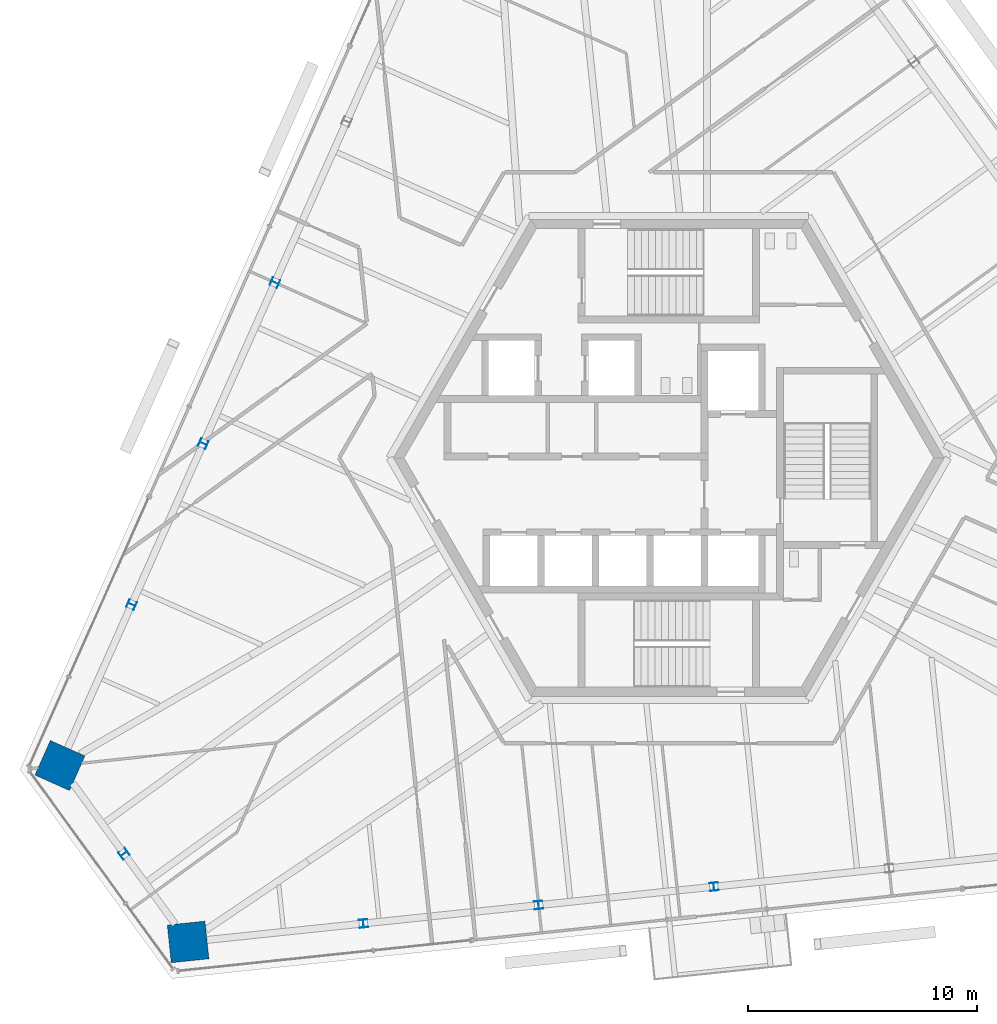
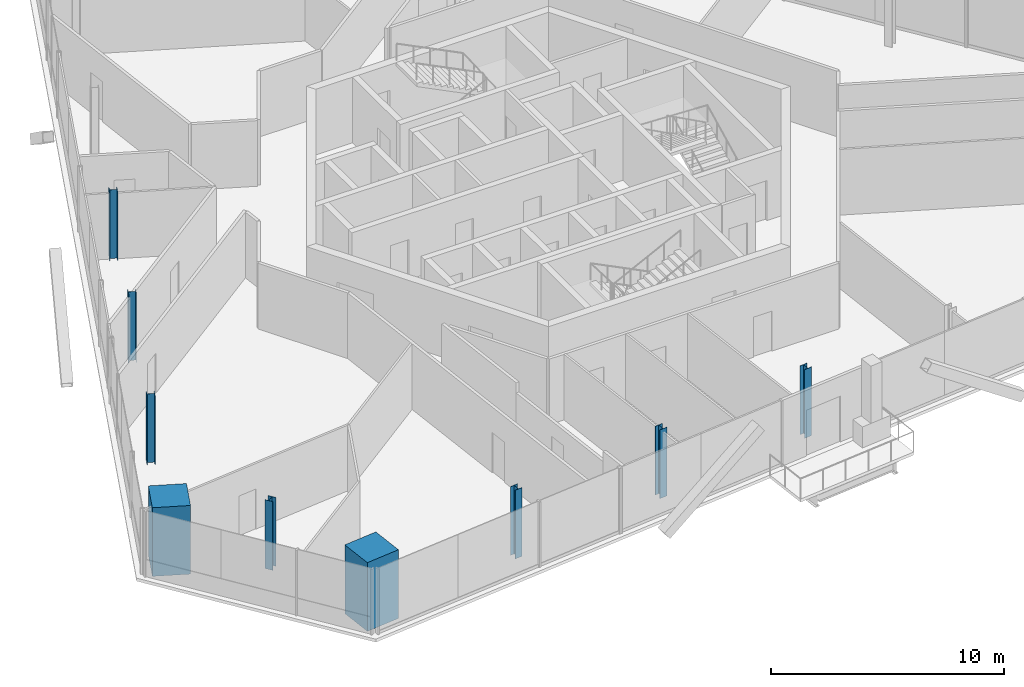
# One storey, part 1 of 18: 9 columns.
"""IFC4 building model written with IfcOpenShell, lengths in metres."""

from ifc_helpers import new_model, si_unit, direction, frame, origin, origin_2d, place, context, subcontext, project, spatial, rectangle, i_section, extrude, source, transform, mapped, material, material_profile, profile_set, type_object, element, save


model = new_model("IFC4")

# Units and contexts
model_context = context("Model", 3, precision=1e-05, world=origin(), true_north=direction((0.0, 1.0)))
body_context = subcontext(model_context, "Body", "Model", "MODEL_VIEW")
ifc_project = project(units=[si_unit("LENGTHUNIT", "METRE"), si_unit("AREAUNIT", "SQUARE_METRE"), si_unit("VOLUMEUNIT", "CUBIC_METRE"), si_unit("PLANEANGLEUNIT", "RADIAN"), si_unit("MASSUNIT", "GRAM", prefix="KILO")], contexts=[model_context])

# Site, building, storey
site_placement = place(None, origin())
site = spatial("IfcSite", under=ifc_project, at=site_placement, CompositionType="ELEMENT")
building_placement = place(site_placement, origin())
building = spatial("IfcBuilding", under=site, at=building_placement, Name="Triune Harvest Tower", CompositionType="ELEMENT")
storey_placement = place(building_placement, frame((0.0, 0.0, 230.5)))
storey = spatial("IfcBuildingStorey", under=building, at=storey_placement, Name="L60", CompositionType="ELEMENT", Elevation=230.5)

# Columns
ifc_material_1 = material(Name="Steel ASTM A992 Gr 50", Category="steel")
ifc_material_profile_1 = material_profile(ifc_material_1, i_section(OverallWidth=0.368408203125, OverallDepth=0.355712890625, WebThickness=0.01123046875, FlangeThickness=0.01806640625, at=origin_2d()), Name="W14x90")
ifc_profile_set_1 = profile_set([ifc_material_profile_1], Name="Steel ASTM A992 Gr 50")
column_type_1 = type_object("IfcColumnType", Name="PC-6 Perimeter column W14x90", PredefinedType="COLUMN", material=ifc_profile_set_1)
shared_shape_1 = source(origin(), body_context, "Body", "SweptSolid", [
    extrude(i_section(OverallWidth=0.368408203125, OverallDepth=0.355712890625, WebThickness=0.01123046875, FlangeThickness=0.01806640625, at=origin_2d()), origin(), (0.0, 0.0, 1.0), 3.60009765625),
])
for number, where, z_axis, x_axis, name in (
    (1, (-17.163818359375, 7.641845703125, 0.0), (0.0, 0.0, 1.0), (-0.406738237513, -0.913544747752, 0.0), "col/L60/P11"),
    (2, (-20.287109375, 0.626220703125, 0.0), (0.0, 0.0, 1.0), (-0.406738237513, -0.913544747752, 0.0), "col/L60/P12"),
    (3, (-23.41064453125, -6.389404296875, 0.0), (0.0, 0.0, 1.0), (-0.406738237513, -0.913544747752, 0.0), "col/L60/P13"),
    (4, (-23.7412109375, -17.2490234375, 1.199951171875), (0.0, 0.0, 1.0), (0.587785252292, -0.809016994375, 0.0), "col/L60/P15"),
    (5, (-13.310791015625, -20.29052734375, 0.0), (0.0, 0.0, 1.0), (0.99452171293, 0.104530199036, 0.0), "col/L60/P17"),
    (6, (-5.673583984375, -19.48779296875, 0.0), (0.0, 0.0, 1.0), (0.99452171293, 0.104530199036, 0.0), "col/L60/P18"),
    (7, (1.9638671875, -18.68505859375, 0.0), (0.0, 0.0, 1.0), (0.99452171293, 0.104530199036, 0.0), "col/L60/P19"),
):
    element("IfcColumn", number, at=place(storey_placement, frame(where, z_axis=z_axis, x_axis=x_axis)), inside=storey, type_object=column_type_1, Name=name, PredefinedType="COLUMN", context=body_context, shape_type="MappedRepresentation", body=[
        mapped(shared_shape_1, transform((0.0, 0.0, 0.0), scale=1.0)),
    ])
ifc_material_2 = material(Name="Concrete 70 MPa", Category="concrete")
ifc_material_profile_2 = material_profile(ifc_material_2, rectangle(XDim=1.64990234375, YDim=1.64990234375, at=origin_2d()), Name="Composite 1650x1650")
ifc_profile_set_2 = profile_set([ifc_material_profile_2], Name="Concrete 70 MPa")
column_type_2 = type_object("IfcColumnType", Name="MC-6 Mega column Composite 1650x1650", PredefinedType="COLUMN", material=ifc_profile_set_2)
shared_shape_2 = source(origin(), body_context, "Body", "SweptSolid", [
    extrude(rectangle(XDim=1.64990234375, YDim=1.64990234375, at=origin_2d()), origin(), (0.0, 0.0, 1.0), 3.60009765625),
])
for number, where, z_axis, x_axis, name in (
    (8, (-26.5341796875, -13.40478515625, 0.0), (0.0, 0.0, 1.0), (-0.406738237513, -0.913544747752, 0.0), "col/L60/M14"),
    (9, (-20.9482421875, -21.09326171875, 0.0), (0.0, 0.0, 1.0), (0.99452171293, 0.104530199036, 0.0), "col/L60/M16"),
):
    element("IfcColumn", number, at=place(storey_placement, frame(where, z_axis=z_axis, x_axis=x_axis)), inside=storey, type_object=column_type_2, Name=name, PredefinedType="COLUMN", context=body_context, shape_type="MappedRepresentation", body=[
        mapped(shared_shape_2, transform((0.0, 0.0, 0.0), scale=1.0)),
    ])

save(model, "model.ifc")
